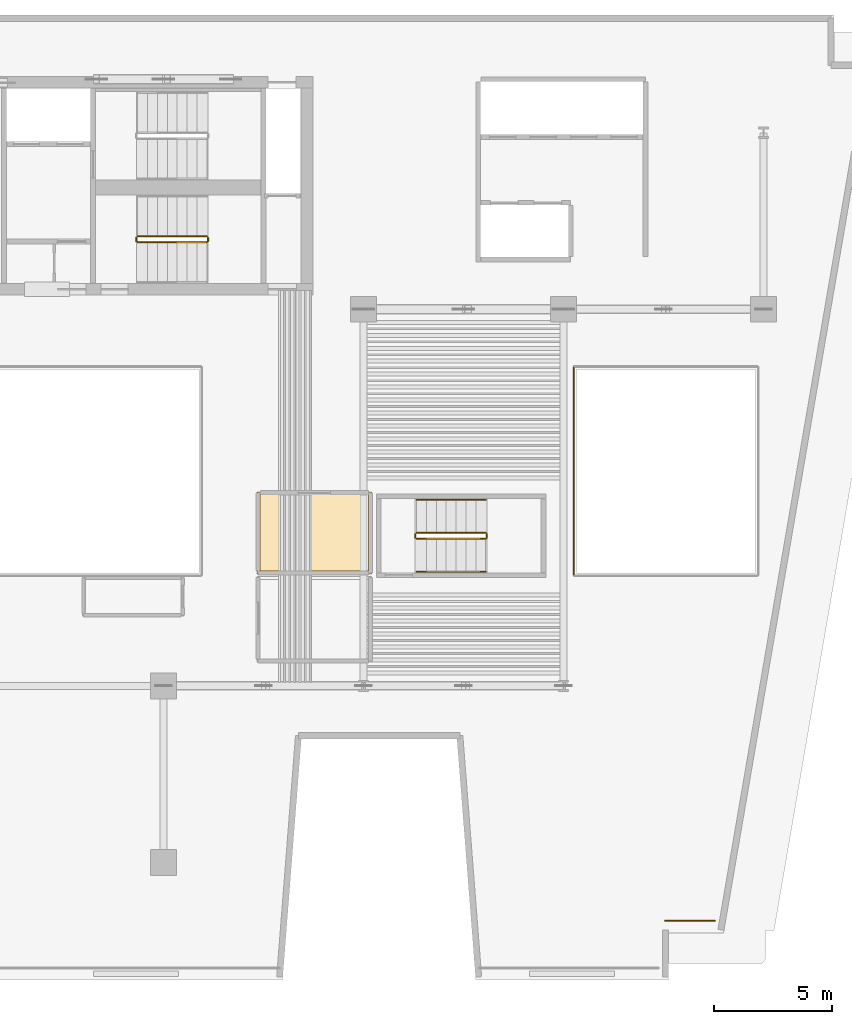
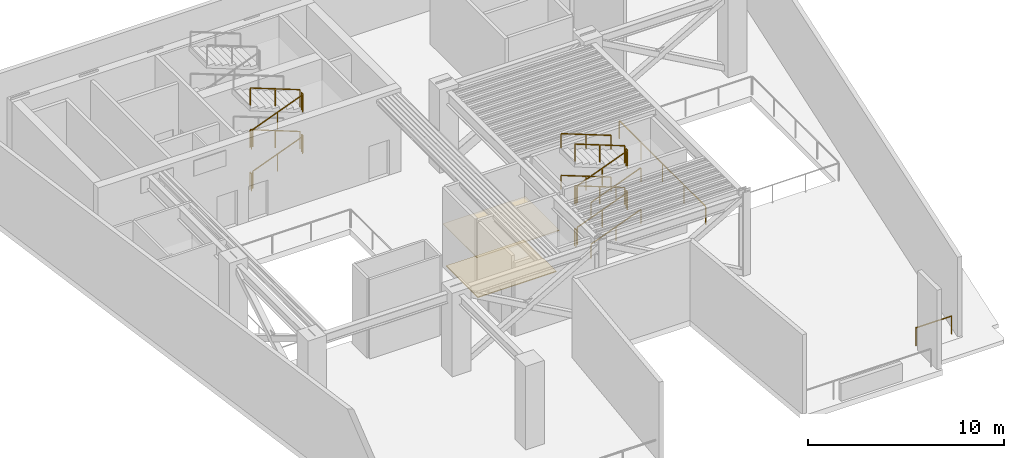
# One storey, part 7 of 8: 22 railings, 2 coverings.
"""IFC4 building model written with IfcOpenShell, lengths in metres."""

from ifc_helpers import new_model, si_unit, direction, frame, origin, origin_2d, place, context, subcontext, project, spatial, polyline, rectangle, outline, extrude, material, layer, layer_set, type_object, element, save


model = new_model("IFC4")

# Units and contexts
model_context = context("Model", 3, precision=1e-05, world=origin(), true_north=direction((0.0, 1.0)))
body_context = subcontext(model_context, "Body", "Model", "MODEL_VIEW")
ifc_project = project(units=[si_unit("LENGTHUNIT", "METRE"), si_unit("AREAUNIT", "SQUARE_METRE"), si_unit("VOLUMEUNIT", "CUBIC_METRE"), si_unit("PLANEANGLEUNIT", "RADIAN"), si_unit("MASSUNIT", "GRAM", prefix="KILO")], contexts=[model_context])

# Site, building, storey
site_placement = place(None, origin())
site = spatial("IfcSite", under=ifc_project, at=site_placement, CompositionType="ELEMENT")
building_placement = place(site_placement, origin())
building = spatial("IfcBuilding", under=site, at=building_placement, Name="Caeloran Harvest Quay", CompositionType="ELEMENT")
storey_placement = place(building_placement, frame((0.0, 0.0, 178.550048828125)))
storey = spatial("IfcBuildingStorey", under=building, at=storey_placement, Name="L42", CompositionType="ELEMENT", Elevation=178.550048828125)

# Coverings
ifc_material_1 = material(Name="Perforated Mineral-Fibre Acoustic Ceiling Tile", Category="ceiling")
ifc_layer_1 = layer(ifc_material_1, 0.0400390625, Name="Perforated Mineral-Fibre Acoustic Ceiling Tile")
ifc_layer_set_1 = layer_set([ifc_layer_1], Name="Perforated Mineral-Fibre Acoustic Ceiling Tile")
covering_type_1 = type_object("IfcCoveringType", Name="COV-CEILING-ACOUSTIC", PredefinedType="CEILING", material=ifc_layer_set_1)
covering_1_placement = place(storey_placement, frame((0.0, 0.0, 2.599853515625)))
element("IfcCovering", 1, at=covering_1_placement, inside=storey, type_object=covering_type_1, Name="L42 Dedicated Outdoor Air Handling and Dehumidification Plant Room Acoustic Ceiling", PredefinedType="CEILING", context=body_context, shape_type="SweptSolid", body=[
    extrude(outline(polyline([(25.840087890625, 23.239990234375), (25.840087890625, 19.760009765625), (20.97998046875, 19.760009765625), (20.97998046875, 23.239990234375), (25.840087890625, 23.239990234375)])), origin(), (0.0, 0.0, 1.0), 0.0400390625),
])
ifc_material_2 = material(Name="Calcium-Sulphate Raised Access Floor and Terrazzo Finish", Category="flooring")
ifc_layer_2 = layer(ifc_material_2, 0.050048828125, Name="Calcium-Sulphate Raised Access Floor and Terrazzo Finish")
ifc_layer_set_2 = layer_set([ifc_layer_2], Name="Calcium-Sulphate Raised Access Floor and Terrazzo Finish")
covering_type_2 = type_object("IfcCoveringType", Name="COV-FLOOR-RAISED", PredefinedType="FLOORING", material=ifc_layer_set_2)
covering_2_placement = place(storey_placement, origin())
element("IfcCovering", 2, at=covering_2_placement, inside=storey, type_object=covering_type_2, Name="L42 Dedicated Outdoor Air Handling and Dehumidification Plant Room Raised Finish Flooring", PredefinedType="FLOORING", context=body_context, shape_type="SweptSolid", body=[
    extrude(outline(polyline([(25.719970703125, 23.1201171875), (25.719970703125, 19.8798828125), (21.10009765625, 19.8798828125), (21.10009765625, 23.1201171875), (25.719970703125, 23.1201171875)])), origin(), (0.0, 0.0, 1.0), 0.050048828125),
])

# Railings
ifc_material_3 = material(Name="Powder-Coated Steel Post and Laminated Glass Guardrail", Category="steel")
ifc_layer_3 = layer(ifc_material_3, 0.06005859375, Name="Powder-Coated Steel Post and Laminated Glass Guardrail")
ifc_layer_set_3 = layer_set([ifc_layer_3], Name="Powder-Coated Steel Post and Laminated Glass Guardrail")
railing_type_1 = type_object("IfcRailingType", Name="GUARD-ATRIUM-1150", PredefinedType="GUARDRAIL", material=ifc_layer_set_3)
railing_1_placement = place(storey_placement, frame((34.429931640625, 28.5380859375, 0.0)))
element("IfcRailing", 3, at=railing_1_placement, inside=storey, type_object=railing_type_1, Name="L42 East Botanical Lightwell Guardrail Seg 4", PredefinedType="GUARDRAIL", context=body_context, shape_type="SweptSolid", body=[
    extrude(rectangle(XDim=0.048095703125, YDim=0.048095703125, at=origin_2d()), frame((0.0, 0.0, 1.1259765625), z_axis=(0.0, -1.0, 0.0), x_axis=(1.0, 0.0, 0.0)), (0.0, 0.0, 1.0), 8.826171875),
    extrude(rectangle(XDim=0.0419921875, YDim=0.0419921875, at=origin_2d()), origin(), (0.0, 0.0, 1.0), 1.101806640625),
    extrude(rectangle(XDim=0.0419921875, YDim=0.0419921875, at=origin_2d()), frame((0.0, -2.20654296875, 0.0)), (0.0, 0.0, 1.0), 1.101806640625),
    extrude(rectangle(XDim=0.0419921875, YDim=0.0419921875, at=origin_2d()), frame((0.0, -4.4130859375, 0.0)), (0.0, 0.0, 1.0), 1.101806640625),
    extrude(rectangle(XDim=0.0419921875, YDim=0.0419921875, at=origin_2d()), frame((0.0, -6.61962890625, 0.0)), (0.0, 0.0, 1.0), 1.101806640625),
    extrude(rectangle(XDim=0.0419921875, YDim=0.0419921875, at=origin_2d()), frame((0.0, -8.826171875, 0.0)), (0.0, 0.0, 1.0), 1.101806640625),
])
ifc_material_4 = material(Name="Laminated Safety Glass and Stainless Steel 316", Category="steel")
ifc_layer_4 = layer(ifc_material_4, 0.06005859375, Name="Laminated Safety Glass and Stainless Steel 316")
ifc_layer_set_4 = layer_set([ifc_layer_4], Name="Laminated Safety Glass and Stainless Steel 316")
railing_type_2 = type_object("IfcRailingType", Name="GUARD-BALUSTRADE-1150", PredefinedType="BALUSTRADE", material=ifc_layer_set_4)
railing_2_placement = place(storey_placement, frame((40.427978515625, 5.010009765625, 0.0)))
element("IfcRailing", 4, at=railing_2_placement, inside=storey, type_object=railing_type_2, Name="L42 Open Refuge and Wind-Slot Perimeter Balustrade 10", PredefinedType="BALUSTRADE", context=body_context, shape_type="SweptSolid", body=[
    extrude(rectangle(XDim=0.048095703125, YDim=0.048095703125, at=origin_2d()), frame((0.0, 0.0, 1.1259765625), z_axis=(-1.0, 0.0, 0.0), x_axis=(0.0, -1.0, 0.0)), (0.0, 0.0, 1.0), 2.10498046875),
    extrude(rectangle(XDim=0.0419921875, YDim=0.0419921875, at=origin_2d()), origin(), (0.0, 0.0, 1.0), 1.101806640625),
    extrude(rectangle(XDim=0.0419921875, YDim=0.0419921875, at=origin_2d()), frame((-2.10498046875, 0.0, 0.0)), (0.0, 0.0, 1.0), 1.101806640625),
])
ifc_material_5 = material(Name="Painted Steel Baluster and Top-Rail Stair Guard", Category="steel")
ifc_layer_5 = layer(ifc_material_5, 0.050048828125, Name="Painted Steel Baluster and Top-Rail Stair Guard")
ifc_layer_set_5 = layer_set([ifc_layer_5], Name="Painted Steel Baluster and Top-Rail Stair Guard")
railing_type_3 = type_object("IfcRailingType", Name="STAIR-GUARD-1100", PredefinedType="GUARDRAIL", material=ifc_layer_set_5)
railing_3_placement = place(storey_placement, frame((15.89990234375, 33.85009765625, 0.162353515625)))
element("IfcRailing", 5, at=railing_3_placement, inside=storey, type_object=railing_type_3, Name="L42 ST-C2 stair guard 1", PredefinedType="GUARDRAIL", context=body_context, shape_type="SweptSolid", body=[
    extrude(rectangle(XDim=0.048095703125, YDim=0.048095703125, at=origin_2d()), frame((0.0, 0.0, 1.076171875), z_axis=(0.932615185337, 0.0, 0.360872437405), x_axis=(0.0, 1.0, 0.0)), (0.0, 0.0, 1.0), 3.152587890625),
    extrude(rectangle(XDim=0.0419921875, YDim=0.0419921875, at=origin_2d()), origin(), (0.0, 0.0, 1.0), 1.052001953125),
    extrude(rectangle(XDim=0.0419921875, YDim=0.0419921875, at=origin_2d()), frame((1.47021484375, 0.0, 0.56884765625)), (0.0, 0.0, 1.0), 1.052001953125),
    extrude(rectangle(XDim=0.0419921875, YDim=0.0419921875, at=origin_2d()), frame((2.940185546875, 0.0, 1.1376953125)), (0.0, 0.0, 1.0), 1.052001953125),
])
railing_4_placement = place(storey_placement, frame((18.889892578125, 33.89990234375, 1.300048828125)))
element("IfcRailing", 6, at=railing_4_placement, inside=storey, type_object=railing_type_3, Name="L42 ST-C2 stair guard 2", PredefinedType="GUARDRAIL", context=body_context, shape_type="SweptSolid", body=[
    extrude(rectangle(XDim=0.048095703125, YDim=0.048095703125, at=origin_2d()), frame((0.0, 0.0, 1.076171875), z_axis=(0.0, 1.0, 0.0), x_axis=(-1.0, 0.0, 0.0)), (0.0, 0.0, 1.0), 0.150146484375),
    extrude(rectangle(XDim=0.0419921875, YDim=0.0419921875, at=origin_2d()), origin(), (0.0, 0.0, 1.0), 1.052001953125),
    extrude(rectangle(XDim=0.0419921875, YDim=0.0419921875, at=origin_2d()), frame((0.0, 0.150146484375, 0.0)), (0.0, 0.0, 1.0), 1.052001953125),
])
railing_5_placement = place(storey_placement, frame((18.840087890625, 34.10009765625, 1.46240234375)))
element("IfcRailing", 7, at=railing_5_placement, inside=storey, type_object=railing_type_3, Name="L42 ST-C2 stair guard 3", PredefinedType="GUARDRAIL", context=body_context, shape_type="SweptSolid", body=[
    extrude(rectangle(XDim=0.048095703125, YDim=0.048095703125, at=origin_2d()), frame((0.0, 0.0, 1.076171875), z_axis=(-0.932641246608, 0.0, 0.360805079129), x_axis=(0.0, -1.0, 0.0)), (0.0, 0.0, 1.0), 3.152587890625),
    extrude(rectangle(XDim=0.0419921875, YDim=0.0419921875, at=origin_2d()), origin(), (0.0, 0.0, 1.0), 1.052001953125),
    extrude(rectangle(XDim=0.0419921875, YDim=0.0419921875, at=origin_2d()), frame((-1.47021484375, 0.0, 0.56884765625)), (0.0, 0.0, 1.0), 1.052001953125),
    extrude(rectangle(XDim=0.0419921875, YDim=0.0419921875, at=origin_2d()), frame((-2.940185546875, 0.0, 1.137451171875)), (0.0, 0.0, 1.0), 1.052001953125),
])
railing_6_placement = place(storey_placement, frame((15.85009765625, 33.89990234375, 2.599853515625)))
element("IfcRailing", 8, at=railing_6_placement, inside=storey, type_object=railing_type_3, Name="L42 ST-C2 stair guard 4", PredefinedType="GUARDRAIL", context=body_context, shape_type="SweptSolid", body=[
    extrude(rectangle(XDim=0.048095703125, YDim=0.048095703125, at=origin_2d()), frame((0.0, 0.0, 1.076171875), z_axis=(0.0, 1.0, 0.0), x_axis=(-1.0, 0.0, 0.0)), (0.0, 0.0, 1.0), 0.150146484375),
    extrude(rectangle(XDim=0.0419921875, YDim=0.0419921875, at=origin_2d()), origin(), (0.0, 0.0, 1.0), 1.052001953125),
    extrude(rectangle(XDim=0.0419921875, YDim=0.0419921875, at=origin_2d()), frame((0.0, 0.150146484375, 0.0)), (0.0, 0.0, 1.0), 1.052001953125),
])
railing_7_placement = place(storey_placement, frame((15.89990234375, 33.85009765625, 2.762451171875)))
element("IfcRailing", 9, at=railing_7_placement, inside=storey, type_object=railing_type_3, Name="L42 ST-C2 stair guard 5", PredefinedType="GUARDRAIL", context=body_context, shape_type="SweptSolid", body=[
    extrude(rectangle(XDim=0.048095703125, YDim=0.048095703125, at=origin_2d()), frame((0.0, 0.0, 1.076171875), z_axis=(0.932641246608, 0.0, 0.360805079129), x_axis=(0.0, 1.0, 0.0)), (0.0, 0.0, 1.0), 3.152587890625),
    extrude(rectangle(XDim=0.0419921875, YDim=0.0419921875, at=origin_2d()), origin(), (0.0, 0.0, 1.0), 1.052001953125),
    extrude(rectangle(XDim=0.0419921875, YDim=0.0419921875, at=origin_2d()), frame((1.47021484375, 0.0, 0.56884765625)), (0.0, 0.0, 1.0), 1.052001953125),
    extrude(rectangle(XDim=0.0419921875, YDim=0.0419921875, at=origin_2d()), frame((2.940185546875, 0.0, 1.137451171875)), (0.0, 0.0, 1.0), 1.052001953125),
])
railing_8_placement = place(storey_placement, frame((18.889892578125, 33.89990234375, 3.89990234375)))
element("IfcRailing", 10, at=railing_8_placement, inside=storey, type_object=railing_type_3, Name="L42 ST-C2 stair guard 6", PredefinedType="GUARDRAIL", context=body_context, shape_type="SweptSolid", body=[
    extrude(rectangle(XDim=0.048095703125, YDim=0.048095703125, at=origin_2d()), frame((0.0, 0.0, 1.076171875), z_axis=(0.0, 1.0, 0.0), x_axis=(-1.0, 0.0, 0.0)), (0.0, 0.0, 1.0), 0.150146484375),
    extrude(rectangle(XDim=0.0419921875, YDim=0.0419921875, at=origin_2d()), origin(), (0.0, 0.0, 1.0), 1.052001953125),
    extrude(rectangle(XDim=0.0419921875, YDim=0.0419921875, at=origin_2d()), frame((0.0, 0.150146484375, 0.0)), (0.0, 0.0, 1.0), 1.052001953125),
])
railing_9_placement = place(storey_placement, frame((18.840087890625, 34.10009765625, 4.0625)))
element("IfcRailing", 11, at=railing_9_placement, inside=storey, type_object=railing_type_3, Name="L42 ST-C2 stair guard 7", PredefinedType="GUARDRAIL", context=body_context, shape_type="SweptSolid", body=[
    extrude(rectangle(XDim=0.048095703125, YDim=0.048095703125, at=origin_2d()), frame((0.0, 0.0, 1.076171875), z_axis=(-0.932641246608, 0.0, 0.360805079129), x_axis=(0.0, -1.0, 0.0)), (0.0, 0.0, 1.0), 3.152587890625),
    extrude(rectangle(XDim=0.0419921875, YDim=0.0419921875, at=origin_2d()), origin(), (0.0, 0.0, 1.0), 1.052001953125),
    extrude(rectangle(XDim=0.0419921875, YDim=0.0419921875, at=origin_2d()), frame((-1.47021484375, 0.0, 0.56884765625)), (0.0, 0.0, 1.0), 1.052001953125),
    extrude(rectangle(XDim=0.0419921875, YDim=0.0419921875, at=origin_2d()), frame((-2.940185546875, 0.0, 1.137451171875)), (0.0, 0.0, 1.0), 1.052001953125),
])
railing_10_placement = place(storey_placement, frame((15.85009765625, 33.89990234375, 0.0)))
element("IfcRailing", 12, at=railing_10_placement, inside=storey, type_object=railing_type_3, Name="L42 ST-C2 stair guard 8", PredefinedType="GUARDRAIL", context=body_context, shape_type="SweptSolid", body=[
    extrude(rectangle(XDim=0.048095703125, YDim=0.048095703125, at=origin_2d()), frame((0.0, 0.0, 1.076171875), z_axis=(0.0, 1.0, 0.0), x_axis=(-1.0, 0.0, 0.0)), (0.0, 0.0, 1.0), 0.150146484375),
    extrude(rectangle(XDim=0.0419921875, YDim=0.0419921875, at=origin_2d()), origin(), (0.0, 0.0, 1.0), 1.052001953125),
    extrude(rectangle(XDim=0.0419921875, YDim=0.0419921875, at=origin_2d()), frame((0.0, 0.150146484375, 0.0)), (0.0, 0.0, 1.0), 1.052001953125),
])
railing_11_placement = place(storey_placement, frame((27.75, 21.25, 0.162353515625)))
element("IfcRailing", 13, at=railing_11_placement, inside=storey, type_object=railing_type_3, Name="L42 ST-W1 stair guard 1", PredefinedType="GUARDRAIL", context=body_context, shape_type="SweptSolid", body=[
    extrude(rectangle(XDim=0.048095703125, YDim=0.048095703125, at=origin_2d()), frame((0.0, 0.0, 1.076171875), z_axis=(0.93260509926, 0.0, 0.360898502122), x_axis=(0.0, 1.0, 0.0)), (0.0, 0.0, 1.0), 3.15234375),
    extrude(rectangle(XDim=0.0419921875, YDim=0.0419921875, at=origin_2d()), origin(), (0.0, 0.0, 1.0), 1.052001953125),
    extrude(rectangle(XDim=0.0419921875, YDim=0.0419921875, at=origin_2d()), frame((1.469970703125, 0.0, 0.56884765625)), (0.0, 0.0, 1.0), 1.052001953125),
    extrude(rectangle(XDim=0.0419921875, YDim=0.0419921875, at=origin_2d()), frame((2.93994140625, 0.0, 1.1376953125)), (0.0, 0.0, 1.0), 1.052001953125),
])
railing_12_placement = place(storey_placement, frame((30.739990234375, 21.300048828125, 1.300048828125)))
element("IfcRailing", 14, at=railing_12_placement, inside=storey, type_object=railing_type_3, Name="L42 ST-W1 stair guard 2", PredefinedType="GUARDRAIL", context=body_context, shape_type="SweptSolid", body=[
    extrude(rectangle(XDim=0.048095703125, YDim=0.048095703125, at=origin_2d()), frame((0.0, 0.0, 1.076171875), z_axis=(0.0, 1.0, 0.0), x_axis=(-1.0, 0.0, 0.0)), (0.0, 0.0, 1.0), 0.14990234375),
    extrude(rectangle(XDim=0.0419921875, YDim=0.0419921875, at=origin_2d()), origin(), (0.0, 0.0, 1.0), 1.052001953125),
    extrude(rectangle(XDim=0.0419921875, YDim=0.0419921875, at=origin_2d()), frame((0.0, 0.14990234375, 0.0)), (0.0, 0.0, 1.0), 1.052001953125),
])
railing_13_placement = place(storey_placement, frame((30.68994140625, 21.5, 1.46240234375)))
element("IfcRailing", 15, at=railing_13_placement, inside=storey, type_object=railing_type_3, Name="L42 ST-W1 stair guard 3", PredefinedType="GUARDRAIL", context=body_context, shape_type="SweptSolid", body=[
    extrude(rectangle(XDim=0.048095703125, YDim=0.048095703125, at=origin_2d()), frame((0.0, 0.0, 1.076171875), z_axis=(-0.932631164014, 0.0, 0.360831140437), x_axis=(0.0, -1.0, 0.0)), (0.0, 0.0, 1.0), 3.15234375),
    extrude(rectangle(XDim=0.0419921875, YDim=0.0419921875, at=origin_2d()), origin(), (0.0, 0.0, 1.0), 1.052001953125),
    extrude(rectangle(XDim=0.0419921875, YDim=0.0419921875, at=origin_2d()), frame((-1.469970703125, 0.0, 0.56884765625)), (0.0, 0.0, 1.0), 1.052001953125),
    extrude(rectangle(XDim=0.0419921875, YDim=0.0419921875, at=origin_2d()), frame((-2.93994140625, 0.0, 1.137451171875)), (0.0, 0.0, 1.0), 1.052001953125),
])
railing_14_placement = place(storey_placement, frame((27.699951171875, 21.300048828125, 2.599853515625)))
element("IfcRailing", 16, at=railing_14_placement, inside=storey, type_object=railing_type_3, Name="L42 ST-W1 stair guard 4", PredefinedType="GUARDRAIL", context=body_context, shape_type="SweptSolid", body=[
    extrude(rectangle(XDim=0.048095703125, YDim=0.048095703125, at=origin_2d()), frame((0.0, 0.0, 1.076171875), z_axis=(0.0, 1.0, 0.0), x_axis=(-1.0, 0.0, 0.0)), (0.0, 0.0, 1.0), 0.14990234375),
    extrude(rectangle(XDim=0.0419921875, YDim=0.0419921875, at=origin_2d()), origin(), (0.0, 0.0, 1.0), 1.052001953125),
    extrude(rectangle(XDim=0.0419921875, YDim=0.0419921875, at=origin_2d()), frame((0.0, 0.14990234375, 0.0)), (0.0, 0.0, 1.0), 1.052001953125),
])
railing_15_placement = place(storey_placement, frame((27.75, 21.25, 2.762451171875)))
element("IfcRailing", 17, at=railing_15_placement, inside=storey, type_object=railing_type_3, Name="L42 ST-W1 stair guard 5", PredefinedType="GUARDRAIL", context=body_context, shape_type="SweptSolid", body=[
    extrude(rectangle(XDim=0.048095703125, YDim=0.048095703125, at=origin_2d()), frame((0.0, 0.0, 1.076171875), z_axis=(0.932631164014, 0.0, 0.360831140437), x_axis=(0.0, 1.0, 0.0)), (0.0, 0.0, 1.0), 3.15234375),
    extrude(rectangle(XDim=0.0419921875, YDim=0.0419921875, at=origin_2d()), origin(), (0.0, 0.0, 1.0), 1.052001953125),
    extrude(rectangle(XDim=0.0419921875, YDim=0.0419921875, at=origin_2d()), frame((1.469970703125, 0.0, 0.56884765625)), (0.0, 0.0, 1.0), 1.052001953125),
    extrude(rectangle(XDim=0.0419921875, YDim=0.0419921875, at=origin_2d()), frame((2.93994140625, 0.0, 1.137451171875)), (0.0, 0.0, 1.0), 1.052001953125),
])
railing_16_placement = place(storey_placement, frame((30.739990234375, 21.300048828125, 3.89990234375)))
element("IfcRailing", 18, at=railing_16_placement, inside=storey, type_object=railing_type_3, Name="L42 ST-W1 stair guard 6", PredefinedType="GUARDRAIL", context=body_context, shape_type="SweptSolid", body=[
    extrude(rectangle(XDim=0.048095703125, YDim=0.048095703125, at=origin_2d()), frame((0.0, 0.0, 1.076171875), z_axis=(0.0, 1.0, 0.0), x_axis=(-1.0, 0.0, 0.0)), (0.0, 0.0, 1.0), 0.14990234375),
    extrude(rectangle(XDim=0.0419921875, YDim=0.0419921875, at=origin_2d()), origin(), (0.0, 0.0, 1.0), 1.052001953125),
    extrude(rectangle(XDim=0.0419921875, YDim=0.0419921875, at=origin_2d()), frame((0.0, 0.14990234375, 0.0)), (0.0, 0.0, 1.0), 1.052001953125),
])
railing_17_placement = place(storey_placement, frame((30.68994140625, 21.5, 4.0625)))
element("IfcRailing", 19, at=railing_17_placement, inside=storey, type_object=railing_type_3, Name="L42 ST-W1 stair guard 7", PredefinedType="GUARDRAIL", context=body_context, shape_type="SweptSolid", body=[
    extrude(rectangle(XDim=0.048095703125, YDim=0.048095703125, at=origin_2d()), frame((0.0, 0.0, 1.076171875), z_axis=(-0.932631164014, 0.0, 0.360831140437), x_axis=(0.0, -1.0, 0.0)), (0.0, 0.0, 1.0), 3.15234375),
    extrude(rectangle(XDim=0.0419921875, YDim=0.0419921875, at=origin_2d()), origin(), (0.0, 0.0, 1.0), 1.052001953125),
    extrude(rectangle(XDim=0.0419921875, YDim=0.0419921875, at=origin_2d()), frame((-1.469970703125, 0.0, 0.56884765625)), (0.0, 0.0, 1.0), 1.052001953125),
    extrude(rectangle(XDim=0.0419921875, YDim=0.0419921875, at=origin_2d()), frame((-2.93994140625, 0.0, 1.137451171875)), (0.0, 0.0, 1.0), 1.052001953125),
])
railing_18_placement = place(storey_placement, frame((27.699951171875, 21.300048828125, 0.0)))
element("IfcRailing", 20, at=railing_18_placement, inside=storey, type_object=railing_type_3, Name="L42 ST-W1 stair guard 8", PredefinedType="GUARDRAIL", context=body_context, shape_type="SweptSolid", body=[
    extrude(rectangle(XDim=0.048095703125, YDim=0.048095703125, at=origin_2d()), frame((0.0, 0.0, 1.076171875), z_axis=(0.0, 1.0, 0.0), x_axis=(-1.0, 0.0, 0.0)), (0.0, 0.0, 1.0), 0.14990234375),
    extrude(rectangle(XDim=0.0419921875, YDim=0.0419921875, at=origin_2d()), origin(), (0.0, 0.0, 1.0), 1.052001953125),
    extrude(rectangle(XDim=0.0419921875, YDim=0.0419921875, at=origin_2d()), frame((0.0, 0.14990234375, 0.0)), (0.0, 0.0, 1.0), 1.052001953125),
])
ifc_material_6 = material(Name="Brushed Stainless Steel Grade 304", Category="steel")
ifc_layer_6 = layer(ifc_material_6, 0.050048828125, Name="Brushed Stainless Steel Grade 304")
ifc_layer_set_6 = layer_set([ifc_layer_6], Name="Brushed Stainless Steel Grade 304")
railing_type_4 = type_object("IfcRailingType", Name="STAIR-HANDRAIL-900", PredefinedType="HANDRAIL", material=ifc_layer_set_6)
railing_19_placement = place(storey_placement, frame((27.75, 19.85009765625, 0.162353515625)))
element("IfcRailing", 21, at=railing_19_placement, inside=storey, type_object=railing_type_4, Name="L42 ST-W1 stair handrail 1", PredefinedType="HANDRAIL", context=body_context, shape_type="SweptSolid", body=[
    extrude(rectangle(XDim=0.048095703125, YDim=0.048095703125, at=origin_2d()), frame((0.0, 0.0, 0.8759765625), z_axis=(0.93260509926, 0.0, 0.360898502122), x_axis=(0.0, 1.0, 0.0)), (0.0, 0.0, 1.0), 3.15234375),
    extrude(rectangle(XDim=0.0419921875, YDim=0.0419921875, at=origin_2d()), origin(), (0.0, 0.0, 1.0), 0.851806640625),
    extrude(rectangle(XDim=0.0419921875, YDim=0.0419921875, at=origin_2d()), frame((1.469970703125, 0.0, 0.56884765625)), (0.0, 0.0, 1.0), 0.851806640625),
    extrude(rectangle(XDim=0.0419921875, YDim=0.0419921875, at=origin_2d()), frame((2.93994140625, 0.0, 1.1376953125)), (0.0, 0.0, 1.0), 0.851806640625),
])
railing_20_placement = place(storey_placement, frame((30.68994140625, 22.89990234375, 1.46240234375)))
element("IfcRailing", 22, at=railing_20_placement, inside=storey, type_object=railing_type_4, Name="L42 ST-W1 stair handrail 2", PredefinedType="HANDRAIL", context=body_context, shape_type="SweptSolid", body=[
    extrude(rectangle(XDim=0.048095703125, YDim=0.048095703125, at=origin_2d()), frame((0.0, 0.0, 0.8759765625), z_axis=(-0.932631164014, 0.0, 0.360831140437), x_axis=(0.0, -1.0, 0.0)), (0.0, 0.0, 1.0), 3.15234375),
    extrude(rectangle(XDim=0.0419921875, YDim=0.0419921875, at=origin_2d()), origin(), (0.0, 0.0, 1.0), 0.851806640625),
    extrude(rectangle(XDim=0.0419921875, YDim=0.0419921875, at=origin_2d()), frame((-1.469970703125, 0.0, 0.56884765625)), (0.0, 0.0, 1.0), 0.851806640625),
    extrude(rectangle(XDim=0.0419921875, YDim=0.0419921875, at=origin_2d()), frame((-2.93994140625, 0.0, 1.137451171875)), (0.0, 0.0, 1.0), 0.851806640625),
])
railing_21_placement = place(storey_placement, frame((27.75, 19.85009765625, 2.762451171875)))
element("IfcRailing", 23, at=railing_21_placement, inside=storey, type_object=railing_type_4, Name="L42 ST-W1 stair handrail 3", PredefinedType="HANDRAIL", context=body_context, shape_type="SweptSolid", body=[
    extrude(rectangle(XDim=0.048095703125, YDim=0.048095703125, at=origin_2d()), frame((0.0, 0.0, 0.8759765625), z_axis=(0.932631164014, 0.0, 0.360831140437), x_axis=(0.0, 1.0, 0.0)), (0.0, 0.0, 1.0), 3.15234375),
    extrude(rectangle(XDim=0.0419921875, YDim=0.0419921875, at=origin_2d()), origin(), (0.0, 0.0, 1.0), 0.851806640625),
    extrude(rectangle(XDim=0.0419921875, YDim=0.0419921875, at=origin_2d()), frame((1.469970703125, 0.0, 0.56884765625)), (0.0, 0.0, 1.0), 0.851806640625),
    extrude(rectangle(XDim=0.0419921875, YDim=0.0419921875, at=origin_2d()), frame((2.93994140625, 0.0, 1.137451171875)), (0.0, 0.0, 1.0), 0.851806640625),
])
railing_22_placement = place(storey_placement, frame((30.68994140625, 22.89990234375, 4.0625)))
element("IfcRailing", 24, at=railing_22_placement, inside=storey, type_object=railing_type_4, Name="L42 ST-W1 stair handrail 4", PredefinedType="HANDRAIL", context=body_context, shape_type="SweptSolid", body=[
    extrude(rectangle(XDim=0.048095703125, YDim=0.048095703125, at=origin_2d()), frame((0.0, 0.0, 0.8759765625), z_axis=(-0.932631164014, 0.0, 0.360831140437), x_axis=(0.0, -1.0, 0.0)), (0.0, 0.0, 1.0), 3.15234375),
    extrude(rectangle(XDim=0.0419921875, YDim=0.0419921875, at=origin_2d()), origin(), (0.0, 0.0, 1.0), 0.851806640625),
    extrude(rectangle(XDim=0.0419921875, YDim=0.0419921875, at=origin_2d()), frame((-1.469970703125, 0.0, 0.56884765625)), (0.0, 0.0, 1.0), 0.851806640625),
    extrude(rectangle(XDim=0.0419921875, YDim=0.0419921875, at=origin_2d()), frame((-2.93994140625, 0.0, 1.137451171875)), (0.0, 0.0, 1.0), 0.851806640625),
])

save(model, "model.ifc")
